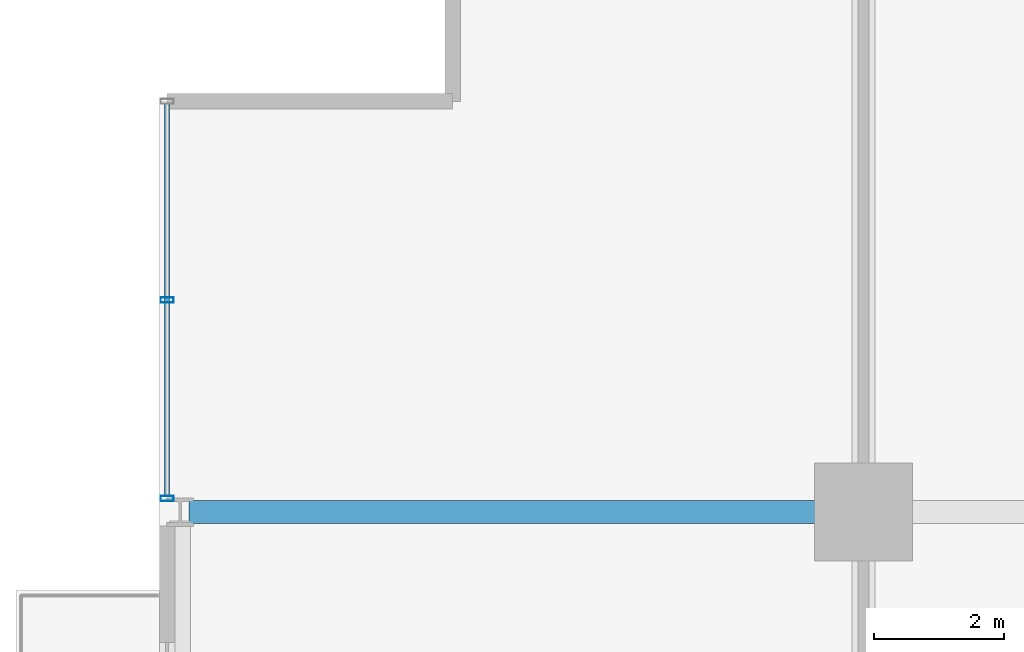
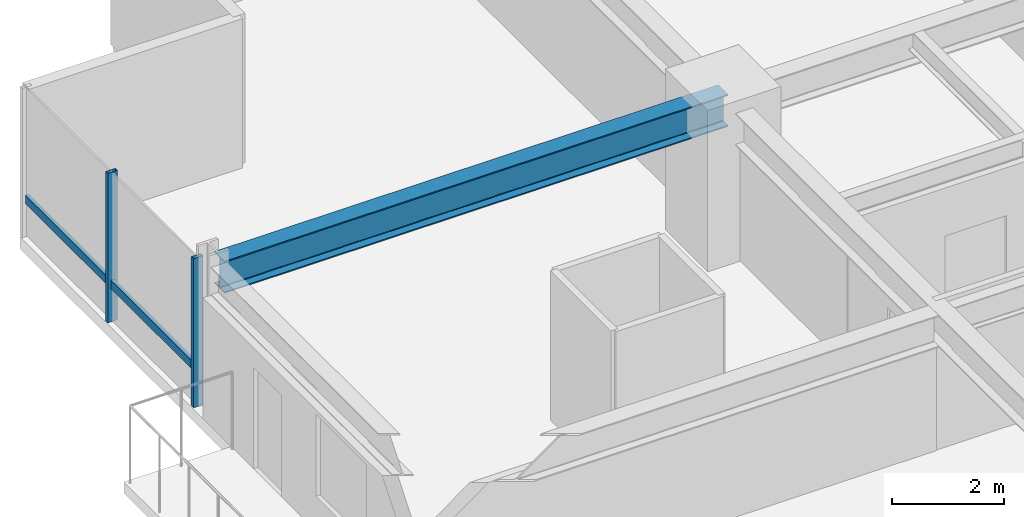
# One storey, part 18 of 35: 3 members, 1 beam, 1 element without a shape of its own.
"""IFC4 building model written with IfcOpenShell, lengths in metres."""

from ifc_helpers import new_model, si_unit, direction, frame, origin, origin_2d, place, context, subcontext, project, spatial, hollow_rectangle, i_section, extrude, material, layer, layer_set, material_profile, profile_set, type_object, element, aggregate, save


model = new_model("IFC4")

# Units and contexts
model_context = context("Model", 3, precision=1e-05, world=origin(), true_north=direction((0.0, 1.0)))
body_context = subcontext(model_context, "Body", "Model", "MODEL_VIEW")
ifc_project = project(units=[si_unit("LENGTHUNIT", "METRE"), si_unit("AREAUNIT", "SQUARE_METRE"), si_unit("VOLUMEUNIT", "CUBIC_METRE"), si_unit("PLANEANGLEUNIT", "RADIAN"), si_unit("MASSUNIT", "GRAM", prefix="KILO")], contexts=[model_context])

# Site, building, storey
site_placement = place(None, origin())
site = spatial("IfcSite", under=ifc_project, at=site_placement, CompositionType="ELEMENT")
building_placement = place(site_placement, origin())
building = spatial("IfcBuilding", under=site, at=building_placement, Name="Drelvath Grand Hotel", CompositionType="ELEMENT")
storey_placement = place(building_placement, frame((0.0, 0.0, 123.300048828125)))
storey = spatial("IfcBuildingStorey", under=building, at=storey_placement, Name="L31", CompositionType="ELEMENT", Elevation=123.300048828125)

# Curtain wall, members
ifc_material_1 = material(Name="Champagne Bronze Anodised Aluminium Frame", Category="aluminium")
ifc_layer = layer(ifc_material_1, 0.199951171875)
ifc_layer_set = layer_set([ifc_layer], Name="Champagne Bronze Anodised Aluminium Frame")
curtain_wall_type = type_object("IfcCurtainWallType", Name="Stick Curtain Wall CW-03 Champagne Bronze Mid-Rise", PredefinedType="NOTDEFINED", material=ifc_layer_set)
curtain_wall_placement = place(storey_placement, origin())
curtain_wall = element("IfcCurtainWall", 1, at=curtain_wall_placement, inside=storey, type_object=curtain_wall_type, Name="L31 CW-03 Curtain Wall CW03-L31-WN3", PredefinedType="NOTDEFINED")
ifc_material_profile_1 = material_profile(ifc_material_1, hollow_rectangle(XDim=0.074951171875, YDim=0.179931640625, WallThickness=0.0048828125, at=origin_2d()), Name="HSS180X75X5")
ifc_profile_set_1 = profile_set([ifc_material_profile_1], Name="Champagne Bronze Anodised Aluminium Frame")
member_type_1 = type_object("IfcMemberType", Name="Curtain Wall Horizontal Transom CW-03 HSS180X75X5", PredefinedType="USERDEFINED", material=ifc_profile_set_1)
member_1_placement = place(storey_placement, frame((-26.8798828125, 43.449462890625, 0.81005859375), z_axis=(0.0, 1.0, 0.0), x_axis=(-1.0, 0.0, 0.0)))
member_1 = element("IfcMember", 2, at=member_1_placement, type_object=member_type_1, Name="CW03-L31-WN3 Sill Transom", ObjectType="TRANSOM", PredefinedType="USERDEFINED", context=body_context, shape_type="SweptSolid", body=[
    extrude(hollow_rectangle(XDim=0.074951171875, YDim=0.179931640625, WallThickness=0.0048828125, at=origin_2d()), origin(), (0.0, 0.0, 1.0), 6.010498046875),
])
ifc_material_profile_2 = material_profile(ifc_material_1, hollow_rectangle(XDim=0.080078125, YDim=0.199951171875, WallThickness=0.0048828125, at=origin_2d()), Name="HSS200X80X5")
ifc_profile_set_2 = profile_set([ifc_material_profile_2], Name="Champagne Bronze Anodised Aluminium Frame")
member_type_2 = type_object("IfcMemberType", Name="Curtain Wall Vertical Mullion CW-03 HSS200X80X5", PredefinedType="MULLION", material=ifc_profile_set_2)
member_2_placement = place(storey_placement, frame((-26.8798828125, 43.409423828125, 0.0), z_axis=(0.0, 0.0, 1.0), x_axis=(0.0, 1.0, 0.0)))
member_2 = element("IfcMember", 3, at=member_2_placement, type_object=member_type_2, Name="CW03-L31-WN3 Mullion 1", PredefinedType="MULLION", context=body_context, shape_type="SweptSolid", body=[
    extrude(hollow_rectangle(XDim=0.080078125, YDim=0.199951171875, WallThickness=0.0048828125, at=origin_2d()), origin(), (0.0, 0.0, 1.0), 3.239990234375),
])
member_3_placement = place(storey_placement, frame((-26.8798828125, 46.45458984375, 0.0), z_axis=(0.0, 0.0, 1.0), x_axis=(0.0, 1.0, 0.0)))
member_3 = element("IfcMember", 4, at=member_3_placement, type_object=member_type_2, Name="CW03-L31-WN3 Mullion 2", PredefinedType="MULLION", context=body_context, shape_type="SweptSolid", body=[
    extrude(hollow_rectangle(XDim=0.080078125, YDim=0.199951171875, WallThickness=0.0048828125, at=origin_2d()), origin(), (0.0, 0.0, 1.0), 3.239990234375),
])
aggregate(curtain_wall, [member_2, member_3, member_1])

# Beam
ifc_material_2 = material(Name="Steel ASTM A992 Gr 50", Category="steel")
ifc_material_profile_3 = material_profile(ifc_material_2, i_section(OverallWidth=0.354736328125, OverallDepth=0.695556640625, WebThickness=0.015380859375, FlangeThickness=0.025146484375, FilletRadius=0.02392578125, at=origin_2d()), Name="W27X146")
ifc_profile_set_3 = profile_set([ifc_material_profile_3], Name="Steel ASTM A992 Gr 50")
beam_type = type_object("IfcBeamType", Name="Primary Floor Girder W27X146", PredefinedType="BEAM", material=ifc_profile_set_3)
beam_placement = place(storey_placement, frame((-26.5400390625, 43.199951171875, 2.892333984375), z_axis=(1.0, 0.0, 0.0), x_axis=(0.0, 1.0, 0.0)))
element("IfcBeam", 5, at=beam_placement, inside=storey, type_object=beam_type, Name="L31 West Grid Girder G", PredefinedType="BEAM", context=body_context, shape_type="SweptSolid", body=[
    extrude(i_section(OverallWidth=0.354736328125, OverallDepth=0.695556640625, WebThickness=0.015380859375, FlangeThickness=0.025146484375, FilletRadius=0.02392578125, at=origin_2d()), origin(), (0.0, 0.0, 1.0), 10.340087890625),
])

save(model, "model.ifc")
